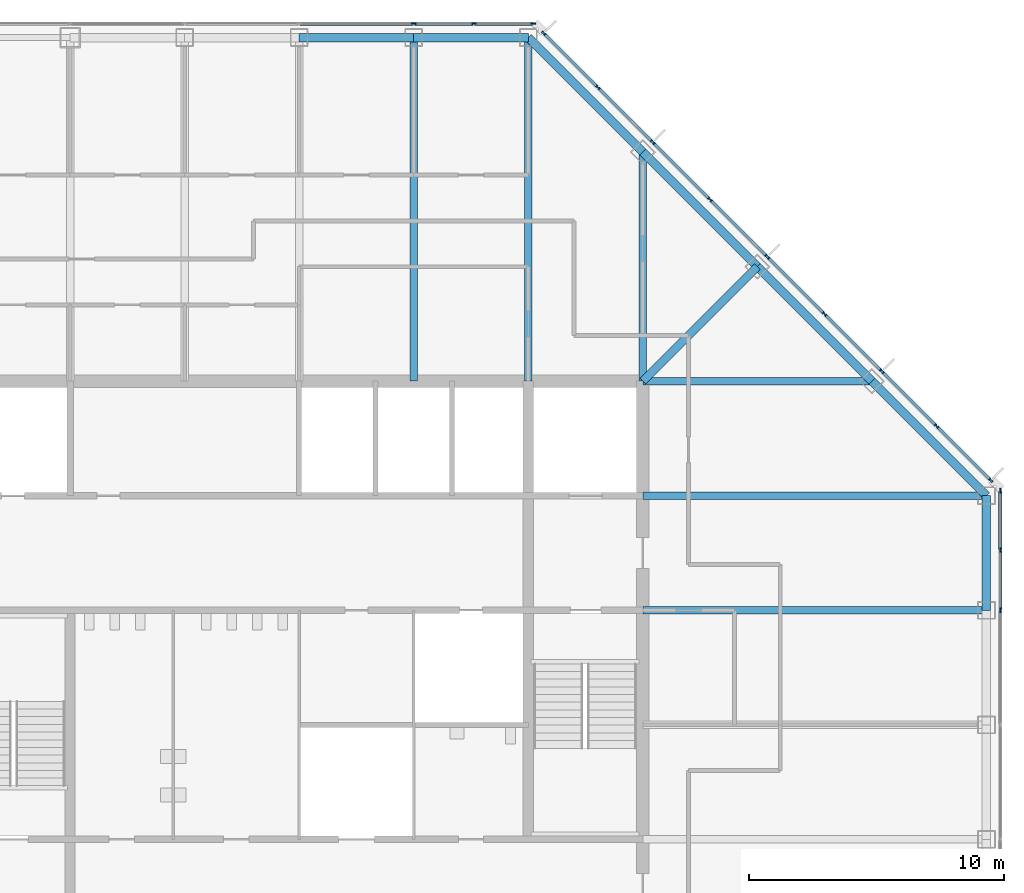
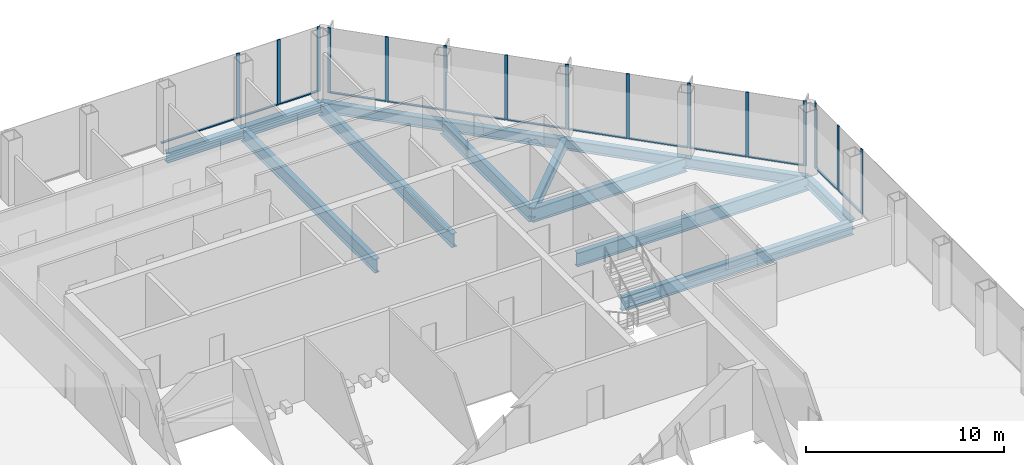
# One storey, part 6 of 13: 28 members, 14 beams, 3 elements without a shape of their own.
"""IFC4 building model written with IfcOpenShell, lengths in metres."""

from ifc_helpers import new_model, si_unit, direction, frame, origin, origin_2d, place, context, subcontext, project, spatial, rectangle, i_section, extrude, material, material_profile, profile_set, type_object, element, aggregate, save


model = new_model("IFC4")

# Units and contexts
model_context = context("Model", 3, precision=1e-05, world=origin(), true_north=direction((0.0, 1.0)))
body_context = subcontext(model_context, "Body", "Model", "MODEL_VIEW")
ifc_project = project(units=[si_unit("LENGTHUNIT", "METRE"), si_unit("AREAUNIT", "SQUARE_METRE"), si_unit("VOLUMEUNIT", "CUBIC_METRE"), si_unit("PLANEANGLEUNIT", "RADIAN"), si_unit("MASSUNIT", "GRAM", prefix="KILO")], contexts=[model_context])

# Site, building, storey
site_placement = place(None, origin())
site = spatial("IfcSite", under=ifc_project, at=site_placement, CompositionType="ELEMENT")
building_placement = place(site_placement, origin())
building = spatial("IfcBuilding", under=site, at=building_placement, Name="Corais Broadcast Tower", CompositionType="ELEMENT")
storey_placement = place(building_placement, frame((0.0, 0.0, 171.60009765625)))
storey = spatial("IfcBuildingStorey", under=building, at=storey_placement, Name="L39", CompositionType="ELEMENT", Elevation=171.60009765625)

# Beams
ifc_material_1 = material(Name="Steel ASTM A572 Grade 50", Category="steel")
ifc_material_profile_1 = material_profile(ifc_material_1, i_section(OverallWidth=0.323974609375, OverallDepth=0.611083984375, WebThickness=0.0126953125, FlangeThickness=0.01904296875, at=origin_2d()), Name="W610x155")
ifc_profile_set_1 = profile_set([ifc_material_profile_1], Name="Steel ASTM A572 Grade 50")
beam_type_1 = type_object("IfcBeamType", Name="Corner diagonal W610x155", PredefinedType="BEAM", material=ifc_profile_set_1)
beam_1_placement = place(storey_placement, frame((45.0, 45.0, -0.465576171875), z_axis=(-0.707106781187, -0.707106781187, 0.0), x_axis=(0.707106781187, -0.707106781187, 0.0)))
element("IfcBeam", 1, at=beam_1_placement, inside=storey, type_object=beam_type_1, Name="B6 L/13 to K/12", PredefinedType="BEAM", context=body_context, shape_type="SweptSolid", body=[
    extrude(i_section(OverallWidth=0.323974609375, OverallDepth=0.611083984375, WebThickness=0.0126953125, FlangeThickness=0.01904296875, at=origin_2d()), origin(), (0.0, 0.0, 1.0), 6.364013671875),
])
ifc_material_2 = material(Name="Steel ASTM A572 Grade 50", Category="steel")
ifc_material_profile_2 = material_profile(ifc_material_2, i_section(OverallWidth=0.2939453125, OverallDepth=0.85107421875, WebThickness=0.01611328125, FlangeThickness=0.02685546875, at=origin_2d()), Name="W840x226")
ifc_profile_set_2 = profile_set([ifc_material_profile_2], Name="Steel ASTM A572 Grade 50")
beam_type_2 = type_object("IfcBeamType", Name="Floor beam W840x226", PredefinedType="BEAM", material=ifc_profile_set_2)
for number, where, z_axis, x_axis, name in (
    (2, (31.5, 54.0, -0.585693359375), (0.0, -1.0, 0.0), (1.0, 0.0, 0.0), "B1 N/10 to K/10"),
    (3, (36.0, 54.0, -0.585693359375), (0.0, -1.0, 0.0), (1.0, 0.0, 0.0), "B1 N/11 to K/11"),
):
    element("IfcBeam", number, at=place(storey_placement, frame(where, z_axis=z_axis, x_axis=x_axis)), inside=storey, type_object=beam_type_2, Name=name, PredefinedType="BEAM", context=body_context, shape_type="SweptSolid", body=[
        extrude(i_section(OverallWidth=0.2939453125, OverallDepth=0.85107421875, WebThickness=0.01611328125, FlangeThickness=0.02685546875, at=origin_2d()), origin(), (0.0, 0.0, 1.0), 13.5),
    ])
for number, where, z_axis, x_axis, name in (
    (4, (40.5, 49.5, -0.585693359375), (0.0, -1.0, 0.0), (1.0, 0.0, 0.0), "B1 M/12 to K/12"),
    (5, (49.5, 40.5, -0.585693359375), (-1.0, 0.0, 0.0), (0.0, -1.0, 0.0), "B1 K/14 to K/12"),
):
    element("IfcBeam", number, at=place(storey_placement, frame(where, z_axis=z_axis, x_axis=x_axis)), inside=storey, type_object=beam_type_2, Name=name, PredefinedType="BEAM", context=body_context, shape_type="SweptSolid", body=[
        extrude(i_section(OverallWidth=0.2939453125, OverallDepth=0.85107421875, WebThickness=0.01611328125, FlangeThickness=0.02685546875, at=origin_2d()), origin(), (0.0, 0.0, 1.0), 9.0),
    ])
for number, where, z_axis, x_axis, name in (
    (6, (54.0, 31.5, -0.585693359375), (-1.0, 0.0, 0.0), (0.0, -1.0, 0.0), "B1 H/15 to H/12"),
    (7, (54.0, 36.0, -0.585693359375), (-1.0, 0.0, 0.0), (0.0, -1.0, 0.0), "B1 J/15 to J/12"),
):
    element("IfcBeam", number, at=place(storey_placement, frame(where, z_axis=z_axis, x_axis=x_axis)), inside=storey, type_object=beam_type_2, Name=name, PredefinedType="BEAM", context=body_context, shape_type="SweptSolid", body=[
        extrude(i_section(OverallWidth=0.2939453125, OverallDepth=0.85107421875, WebThickness=0.01611328125, FlangeThickness=0.02685546875, at=origin_2d()), origin(), (0.0, 0.0, 1.0), 13.5),
    ])

# Curtain wall, members
ifc_material_3 = material(Name="Aluminium and glass", Category="aluminium")
curtain_wall_type = type_object("IfcCurtainWallType", Name="Unitised fritted curtain wall CW2", PredefinedType="NOTDEFINED", material=ifc_material_3)
curtain_wall_1_placement = place(storey_placement, origin())
curtain_wall_1 = element("IfcCurtainWall", 8, at=curtain_wall_1_placement, inside=storey, type_object=curtain_wall_type, Name="CW2 curtain wall L39 4", PredefinedType="NOTDEFINED")
ifc_material_4 = material(Name="Aluminium 6063-T6", Category="aluminium")
ifc_material_profile_3 = material_profile(ifc_material_4, rectangle(XDim=0.06494140625, YDim=0.179931640625, at=origin_2d()), Name="Mullion CW2 65x180")
ifc_profile_set_3 = profile_set([ifc_material_profile_3], Name="Aluminium 6063-T6")
member_type_1 = type_object("IfcMemberType", Name="Mullion CW2 65x180", PredefinedType="MULLION", material=ifc_profile_set_3)
member_1_placement = place(storey_placement, frame((31.5, 54.550048828125, 0.0), z_axis=(0.0, 0.0, 1.0), x_axis=(0.0, 1.0, 0.0)))
member_1 = element("IfcMember", 9, at=member_1_placement, type_object=member_type_1, Name="CW2 mullion 7", PredefinedType="MULLION", context=body_context, shape_type="SweptSolid", body=[
    extrude(rectangle(XDim=0.06494140625, YDim=0.179931640625, at=origin_2d()), origin(), (0.0, 0.0, 1.0), 4.0),
])
member_2_placement = place(storey_placement, frame((33.864013671875, 54.550048828125, 0.0), z_axis=(0.0, 0.0, 1.0), x_axis=(0.0, 1.0, 0.0)))
member_2 = element("IfcMember", 10, at=member_2_placement, type_object=member_type_1, Name="CW2 mullion 8", PredefinedType="MULLION", context=body_context, shape_type="SweptSolid", body=[
    extrude(rectangle(XDim=0.06494140625, YDim=0.179931640625, at=origin_2d()), origin(), (0.0, 0.0, 1.0), 4.0),
])
member_3_placement = place(storey_placement, frame((36.1953125, 54.550048828125, 0.0), z_axis=(0.0, 0.0, 1.0), x_axis=(0.0, 1.0, 0.0)))
member_3 = element("IfcMember", 11, at=member_3_placement, type_object=member_type_1, Name="CW2 mullion 9", PredefinedType="MULLION", context=body_context, shape_type="SweptSolid", body=[
    extrude(rectangle(XDim=0.06494140625, YDim=0.179931640625, at=origin_2d()), origin(), (0.0, 0.0, 1.0), 4.0),
])

curtain_wall_2_placement = place(storey_placement, origin())
curtain_wall_2 = element("IfcCurtainWall", 12, at=curtain_wall_2_placement, inside=storey, type_object=curtain_wall_type, Name="CW2 curtain wall L39 5", PredefinedType="NOTDEFINED")
member_4_placement = place(storey_placement, frame((36.6044921875, 54.17333984375, 0.0), z_axis=(0.0, 0.0, 1.0), x_axis=(0.707106781187, 0.707106781187, 0.0)))
member_4 = element("IfcMember", 13, at=member_4_placement, type_object=member_type_1, Name="CW2 mullion 1", PredefinedType="MULLION", context=body_context, shape_type="SweptSolid", body=[
    extrude(rectangle(XDim=0.06494140625, YDim=0.179931640625, at=origin_2d()), origin(), (0.0, 0.0, 1.0), 4.0),
])
member_5_placement = place(storey_placement, frame((38.735107421875, 52.042724609375, 0.0), z_axis=(0.0, 0.0, 1.0), x_axis=(0.707106781187, 0.707106781187, 0.0)))
member_5 = element("IfcMember", 14, at=member_5_placement, type_object=member_type_1, Name="CW2 mullion 2", PredefinedType="MULLION", context=body_context, shape_type="SweptSolid", body=[
    extrude(rectangle(XDim=0.06494140625, YDim=0.179931640625, at=origin_2d()), origin(), (0.0, 0.0, 1.0), 4.0),
])
member_6_placement = place(storey_placement, frame((40.888916015625, 49.888916015625, 0.0), z_axis=(0.0, 0.0, 1.0), x_axis=(0.707106781187, 0.707106781187, 0.0)))
member_6 = element("IfcMember", 15, at=member_6_placement, type_object=member_type_1, Name="CW2 mullion 3", PredefinedType="MULLION", context=body_context, shape_type="SweptSolid", body=[
    extrude(rectangle(XDim=0.06494140625, YDim=0.179931640625, at=origin_2d()), origin(), (0.0, 0.0, 1.0), 4.0),
])
member_7_placement = place(storey_placement, frame((43.138916015625, 47.638916015625, 0.0), z_axis=(0.0, 0.0, 1.0), x_axis=(0.707106781187, 0.707106781187, 0.0)))
member_7 = element("IfcMember", 16, at=member_7_placement, type_object=member_type_1, Name="CW2 mullion 4", PredefinedType="MULLION", context=body_context, shape_type="SweptSolid", body=[
    extrude(rectangle(XDim=0.06494140625, YDim=0.179931640625, at=origin_2d()), origin(), (0.0, 0.0, 1.0), 4.0),
])
member_8_placement = place(storey_placement, frame((45.388916015625, 45.388916015625, 0.0), z_axis=(0.0, 0.0, 1.0), x_axis=(0.707106781187, 0.707106781187, 0.0)))
member_8 = element("IfcMember", 17, at=member_8_placement, type_object=member_type_1, Name="CW2 mullion 5", PredefinedType="MULLION", context=body_context, shape_type="SweptSolid", body=[
    extrude(rectangle(XDim=0.06494140625, YDim=0.179931640625, at=origin_2d()), origin(), (0.0, 0.0, 1.0), 4.0),
])
member_9_placement = place(storey_placement, frame((47.638916015625, 43.138916015625, 0.0), z_axis=(0.0, 0.0, 1.0), x_axis=(0.707106781187, 0.707106781187, 0.0)))
member_9 = element("IfcMember", 18, at=member_9_placement, type_object=member_type_1, Name="CW2 mullion 6", PredefinedType="MULLION", context=body_context, shape_type="SweptSolid", body=[
    extrude(rectangle(XDim=0.06494140625, YDim=0.179931640625, at=origin_2d()), origin(), (0.0, 0.0, 1.0), 4.0),
])
member_10_placement = place(storey_placement, frame((49.888916015625, 40.888916015625, 0.0), z_axis=(0.0, 0.0, 1.0), x_axis=(0.707106781187, 0.707106781187, 0.0)))
member_10 = element("IfcMember", 19, at=member_10_placement, type_object=member_type_1, Name="CW2 mullion 7", PredefinedType="MULLION", context=body_context, shape_type="SweptSolid", body=[
    extrude(rectangle(XDim=0.06494140625, YDim=0.179931640625, at=origin_2d()), origin(), (0.0, 0.0, 1.0), 4.0),
])
member_11_placement = place(storey_placement, frame((52.042724609375, 38.735107421875, 0.0), z_axis=(0.0, 0.0, 1.0), x_axis=(0.707106781187, 0.707106781187, 0.0)))
member_11 = element("IfcMember", 20, at=member_11_placement, type_object=member_type_1, Name="CW2 mullion 8", PredefinedType="MULLION", context=body_context, shape_type="SweptSolid", body=[
    extrude(rectangle(XDim=0.06494140625, YDim=0.179931640625, at=origin_2d()), origin(), (0.0, 0.0, 1.0), 4.0),
])
member_12_placement = place(storey_placement, frame((54.17333984375, 36.6044921875, 0.0), z_axis=(0.0, 0.0, 1.0), x_axis=(0.707106781187, 0.707106781187, 0.0)))
member_12 = element("IfcMember", 21, at=member_12_placement, type_object=member_type_1, Name="CW2 mullion 9", PredefinedType="MULLION", context=body_context, shape_type="SweptSolid", body=[
    extrude(rectangle(XDim=0.06494140625, YDim=0.179931640625, at=origin_2d()), origin(), (0.0, 0.0, 1.0), 4.0),
])

curtain_wall_3_placement = place(storey_placement, origin())
curtain_wall_3 = element("IfcCurtainWall", 22, at=curtain_wall_3_placement, inside=storey, type_object=curtain_wall_type, Name="CW2 curtain wall L39 6", PredefinedType="NOTDEFINED")
member_13_placement = place(storey_placement, frame((54.550048828125, 36.1953125, 0.0), z_axis=(0.0, 0.0, 1.0), x_axis=(1.0, 0.0, 0.0)))
member_13 = element("IfcMember", 23, at=member_13_placement, type_object=member_type_1, Name="CW2 mullion 1", PredefinedType="MULLION", context=body_context, shape_type="SweptSolid", body=[
    extrude(rectangle(XDim=0.06494140625, YDim=0.179931640625, at=origin_2d()), origin(), (0.0, 0.0, 1.0), 4.0),
])
member_14_placement = place(storey_placement, frame((54.550048828125, 33.864013671875, 0.0), z_axis=(0.0, 0.0, 1.0), x_axis=(1.0, 0.0, 0.0)))
member_14 = element("IfcMember", 24, at=member_14_placement, type_object=member_type_1, Name="CW2 mullion 2", PredefinedType="MULLION", context=body_context, shape_type="SweptSolid", body=[
    extrude(rectangle(XDim=0.06494140625, YDim=0.179931640625, at=origin_2d()), origin(), (0.0, 0.0, 1.0), 4.0),
])
member_15_placement = place(storey_placement, frame((54.550048828125, 31.5, 0.0), z_axis=(0.0, 0.0, 1.0), x_axis=(1.0, 0.0, 0.0)))
member_15 = element("IfcMember", 25, at=member_15_placement, type_object=member_type_1, Name="CW2 mullion 3", PredefinedType="MULLION", context=body_context, shape_type="SweptSolid", body=[
    extrude(rectangle(XDim=0.06494140625, YDim=0.179931640625, at=origin_2d()), origin(), (0.0, 0.0, 1.0), 4.0),
])

# Beams
ifc_material_5 = material(Name="Steel ASTM A572 Grade 50", Category="steel")
ifc_material_profile_4 = material_profile(ifc_material_5, i_section(OverallWidth=0.3291015625, OverallDepth=0.635009765625, WebThickness=0.017822265625, FlangeThickness=0.031005859375, at=origin_2d()), Name="W610x241")
ifc_profile_set_4 = profile_set([ifc_material_profile_4], Name="Steel ASTM A572 Grade 50")
beam_type_3 = type_object("IfcBeamType", Name="Spandrel W610x241", PredefinedType="BEAM", material=ifc_profile_set_4)
for number, where, z_axis, x_axis, name in (
    (26, (31.5, 54.0, -0.4775390625), (-1.0, 0.0, 0.0), (0.0, -1.0, 0.0), "SB1 N/10 to N/9"),
    (27, (36.0, 54.0, -0.4775390625), (-1.0, 0.0, 0.0), (0.0, -1.0, 0.0), "SB1 N/11 to N/10"),
):
    element("IfcBeam", number, at=place(storey_placement, frame(where, z_axis=z_axis, x_axis=x_axis)), inside=storey, type_object=beam_type_3, Name=name, PredefinedType="BEAM", context=body_context, shape_type="SweptSolid", body=[
        extrude(i_section(OverallWidth=0.3291015625, OverallDepth=0.635009765625, WebThickness=0.017822265625, FlangeThickness=0.031005859375, at=origin_2d()), origin(), (0.0, 0.0, 1.0), 4.5),
    ])
for number, where, z_axis, x_axis, name in (
    (28, (40.5, 49.5, -0.4775390625), (-0.707106781187, 0.707106781187, 0.0), (-0.707106781187, -0.707106781187, 0.0), "SB1 M/12 to N/11"),
    (29, (45.0, 45.0, -0.4775390625), (-0.707106781187, 0.707106781187, 0.0), (-0.707106781187, -0.707106781187, 0.0), "SB1 L/13 to M/12"),
    (30, (49.5, 40.5, -0.4775390625), (-0.707106781187, 0.707106781187, 0.0), (-0.707106781187, -0.707106781187, 0.0), "SB1 K/14 to L/13"),
):
    element("IfcBeam", number, at=place(storey_placement, frame(where, z_axis=z_axis, x_axis=x_axis)), inside=storey, type_object=beam_type_3, Name=name, PredefinedType="BEAM", context=body_context, shape_type="SweptSolid", body=[
        extrude(i_section(OverallWidth=0.3291015625, OverallDepth=0.635009765625, WebThickness=0.017822265625, FlangeThickness=0.031005859375, at=origin_2d()), origin(), (0.0, 0.0, 1.0), 6.364013671875),
    ])
beam_2_placement = place(storey_placement, frame((54.0, 31.5, -0.4775390625), z_axis=(0.0, 1.0, 0.0), x_axis=(-1.0, 0.0, 0.0)))
element("IfcBeam", 31, at=beam_2_placement, inside=storey, type_object=beam_type_3, Name="SB1 H/15 to J/15", PredefinedType="BEAM", context=body_context, shape_type="SweptSolid", body=[
    extrude(i_section(OverallWidth=0.3291015625, OverallDepth=0.635009765625, WebThickness=0.017822265625, FlangeThickness=0.031005859375, at=origin_2d()), origin(), (0.0, 0.0, 1.0), 4.5),
])
beam_3_placement = place(storey_placement, frame((54.0, 36.0, -0.4775390625), z_axis=(-0.707106781187, 0.707106781187, 0.0), x_axis=(-0.707106781187, -0.707106781187, 0.0)))
element("IfcBeam", 32, at=beam_3_placement, inside=storey, type_object=beam_type_3, Name="SB1 J/15 to K/14", PredefinedType="BEAM", context=body_context, shape_type="SweptSolid", body=[
    extrude(i_section(OverallWidth=0.3291015625, OverallDepth=0.635009765625, WebThickness=0.017822265625, FlangeThickness=0.031005859375, at=origin_2d()), origin(), (0.0, 0.0, 1.0), 6.364013671875),
])

# Member
ifc_material_6 = material(Name="Aluminium 6063-T6", Category="aluminium")
ifc_material_profile_5 = material_profile(ifc_material_6, rectangle(XDim=0.1298828125, YDim=0.06494140625, at=origin_2d()), Name="Transom CW2 65x130")
ifc_profile_set_5 = profile_set([ifc_material_profile_5], Name="Aluminium 6063-T6")
member_type_2 = type_object("IfcMemberType", Name="Transom CW2 65x130", PredefinedType="USERDEFINED", material=ifc_profile_set_5)
member_16_placement = place(storey_placement, frame((27.032470703125, 54.550048828125, 0.032470703125), z_axis=(1.0, 0.0, 0.0), x_axis=(0.0, 1.0, 0.0)))
member_16 = element("IfcMember", 33, at=member_16_placement, type_object=member_type_2, Name="CW2 transom 6.1", ObjectType="TRANSOM", PredefinedType="USERDEFINED", context=body_context, shape_type="SweptSolid", body=[
    extrude(rectangle(XDim=0.1298828125, YDim=0.06494140625, at=origin_2d()), origin(), (0.0, 0.0, 1.0), 4.43505859375),
])

member_17_placement = place(storey_placement, frame((31.532470703125, 54.550048828125, 0.032470703125), z_axis=(1.0, 0.0, 0.0), x_axis=(0.0, 1.0, 0.0)))
member_17 = element("IfcMember", 34, at=member_17_placement, type_object=member_type_2, Name="CW2 transom 7.1", ObjectType="TRANSOM", PredefinedType="USERDEFINED", context=body_context, shape_type="SweptSolid", body=[
    extrude(rectangle(XDim=0.1298828125, YDim=0.06494140625, at=origin_2d()), origin(), (0.0, 0.0, 1.0), 2.298828125),
])

member_18_placement = place(storey_placement, frame((33.896484375, 54.550048828125, 0.032470703125), z_axis=(1.0, 0.0, 0.0), x_axis=(0.0, 1.0, 0.0)))
member_18 = element("IfcMember", 35, at=member_18_placement, type_object=member_type_2, Name="CW2 transom 8.1", ObjectType="TRANSOM", PredefinedType="USERDEFINED", context=body_context, shape_type="SweptSolid", body=[
    extrude(rectangle(XDim=0.1298828125, YDim=0.06494140625, at=origin_2d()), origin(), (0.0, 0.0, 1.0), 2.266357421875),
])

aggregate(curtain_wall_1, [member_1, member_2, member_3, member_16, member_17, member_18])

member_19_placement = place(storey_placement, frame((36.62744140625, 54.150390625, 0.032470703125), z_axis=(0.707106781187, -0.707106781187, 0.0), x_axis=(0.707106781187, 0.707106781187, 0.0)))
member_19 = element("IfcMember", 36, at=member_19_placement, type_object=member_type_2, Name="CW2 transom 1.1", ObjectType="TRANSOM", PredefinedType="USERDEFINED", context=body_context, shape_type="SweptSolid", body=[
    extrude(rectangle(XDim=0.1298828125, YDim=0.06494140625, at=origin_2d()), origin(), (0.0, 0.0, 1.0), 2.9482421875),
])

member_20_placement = place(storey_placement, frame((38.758056640625, 52.019775390625, 0.032470703125), z_axis=(0.707106781187, -0.707106781187, 0.0), x_axis=(0.707106781187, 0.707106781187, 0.0)))
member_20 = element("IfcMember", 37, at=member_20_placement, type_object=member_type_2, Name="CW2 transom 2.1", ObjectType="TRANSOM", PredefinedType="USERDEFINED", context=body_context, shape_type="SweptSolid", body=[
    extrude(rectangle(XDim=0.1298828125, YDim=0.06494140625, at=origin_2d()), origin(), (0.0, 0.0, 1.0), 2.98095703125),
])

member_21_placement = place(storey_placement, frame((40.911865234375, 49.865966796875, 0.032470703125), z_axis=(0.707106781187, -0.707106781187, 0.0), x_axis=(0.707106781187, 0.707106781187, 0.0)))
member_21 = element("IfcMember", 38, at=member_21_placement, type_object=member_type_2, Name="CW2 transom 3.1", ObjectType="TRANSOM", PredefinedType="USERDEFINED", context=body_context, shape_type="SweptSolid", body=[
    extrude(rectangle(XDim=0.1298828125, YDim=0.06494140625, at=origin_2d()), origin(), (0.0, 0.0, 1.0), 3.1171875),
])

member_22_placement = place(storey_placement, frame((43.161865234375, 47.615966796875, 0.032470703125), z_axis=(0.707106781187, -0.707106781187, 0.0), x_axis=(0.707106781187, 0.707106781187, 0.0)))
member_22 = element("IfcMember", 39, at=member_22_placement, type_object=member_type_2, Name="CW2 transom 4.1", ObjectType="TRANSOM", PredefinedType="USERDEFINED", context=body_context, shape_type="SweptSolid", body=[
    extrude(rectangle(XDim=0.1298828125, YDim=0.06494140625, at=origin_2d()), origin(), (0.0, 0.0, 1.0), 3.1171875),
])

member_23_placement = place(storey_placement, frame((45.411865234375, 45.365966796875, 0.032470703125), z_axis=(0.707106781187, -0.707106781187, 0.0), x_axis=(0.707106781187, 0.707106781187, 0.0)))
member_23 = element("IfcMember", 40, at=member_23_placement, type_object=member_type_2, Name="CW2 transom 5.1", ObjectType="TRANSOM", PredefinedType="USERDEFINED", context=body_context, shape_type="SweptSolid", body=[
    extrude(rectangle(XDim=0.1298828125, YDim=0.06494140625, at=origin_2d()), origin(), (0.0, 0.0, 1.0), 3.1171875),
])

member_24_placement = place(storey_placement, frame((47.661865234375, 43.115966796875, 0.032470703125), z_axis=(0.707106781187, -0.707106781187, 0.0), x_axis=(0.707106781187, 0.707106781187, 0.0)))
member_24 = element("IfcMember", 41, at=member_24_placement, type_object=member_type_2, Name="CW2 transom 6.1", ObjectType="TRANSOM", PredefinedType="USERDEFINED", context=body_context, shape_type="SweptSolid", body=[
    extrude(rectangle(XDim=0.1298828125, YDim=0.06494140625, at=origin_2d()), origin(), (0.0, 0.0, 1.0), 3.1171875),
])

member_25_placement = place(storey_placement, frame((49.911865234375, 40.865966796875, 0.032470703125), z_axis=(0.707065828661, -0.70714773134, 0.0), x_axis=(0.70714773134, 0.707065828661, 0.0)))
member_25 = element("IfcMember", 42, at=member_25_placement, type_object=member_type_2, Name="CW2 transom 7.1", ObjectType="TRANSOM", PredefinedType="USERDEFINED", context=body_context, shape_type="SweptSolid", body=[
    extrude(rectangle(XDim=0.1298828125, YDim=0.06494140625, at=origin_2d()), origin(), (0.0, 0.0, 1.0), 2.98095703125),
])

member_26_placement = place(storey_placement, frame((52.065673828125, 38.712158203125, 0.032470703125), z_axis=(0.707106781187, -0.707106781187, 0.0), x_axis=(0.707106781187, 0.707106781187, 0.0)))
member_26 = element("IfcMember", 43, at=member_26_placement, type_object=member_type_2, Name="CW2 transom 8.1", ObjectType="TRANSOM", PredefinedType="USERDEFINED", context=body_context, shape_type="SweptSolid", body=[
    extrude(rectangle(XDim=0.1298828125, YDim=0.06494140625, at=origin_2d()), origin(), (0.0, 0.0, 1.0), 2.9482421875),
])

aggregate(curtain_wall_2, [member_4, member_5, member_6, member_7, member_8, member_9, member_10, member_11, member_12, member_19, member_20, member_21, member_22, member_23, member_24, member_25, member_26])

member_27_placement = place(storey_placement, frame((54.550048828125, 36.162841796875, 0.032470703125), z_axis=(0.0, -1.0, 0.0), x_axis=(1.0, 0.0, 0.0)))
member_27 = element("IfcMember", 44, at=member_27_placement, type_object=member_type_2, Name="CW2 transom 1.1", ObjectType="TRANSOM", PredefinedType="USERDEFINED", context=body_context, shape_type="SweptSolid", body=[
    extrude(rectangle(XDim=0.1298828125, YDim=0.06494140625, at=origin_2d()), origin(), (0.0, 0.0, 1.0), 2.266357421875),
])

member_28_placement = place(storey_placement, frame((54.550048828125, 33.831298828125, 0.032470703125), z_axis=(0.0, -1.0, 0.0), x_axis=(1.0, 0.0, 0.0)))
member_28 = element("IfcMember", 45, at=member_28_placement, type_object=member_type_2, Name="CW2 transom 2.1", ObjectType="TRANSOM", PredefinedType="USERDEFINED", context=body_context, shape_type="SweptSolid", body=[
    extrude(rectangle(XDim=0.1298828125, YDim=0.06494140625, at=origin_2d()), origin(), (0.0, 0.0, 1.0), 2.298828125),
])

aggregate(curtain_wall_3, [member_13, member_14, member_15, member_27, member_28])

save(model, "model.ifc")
